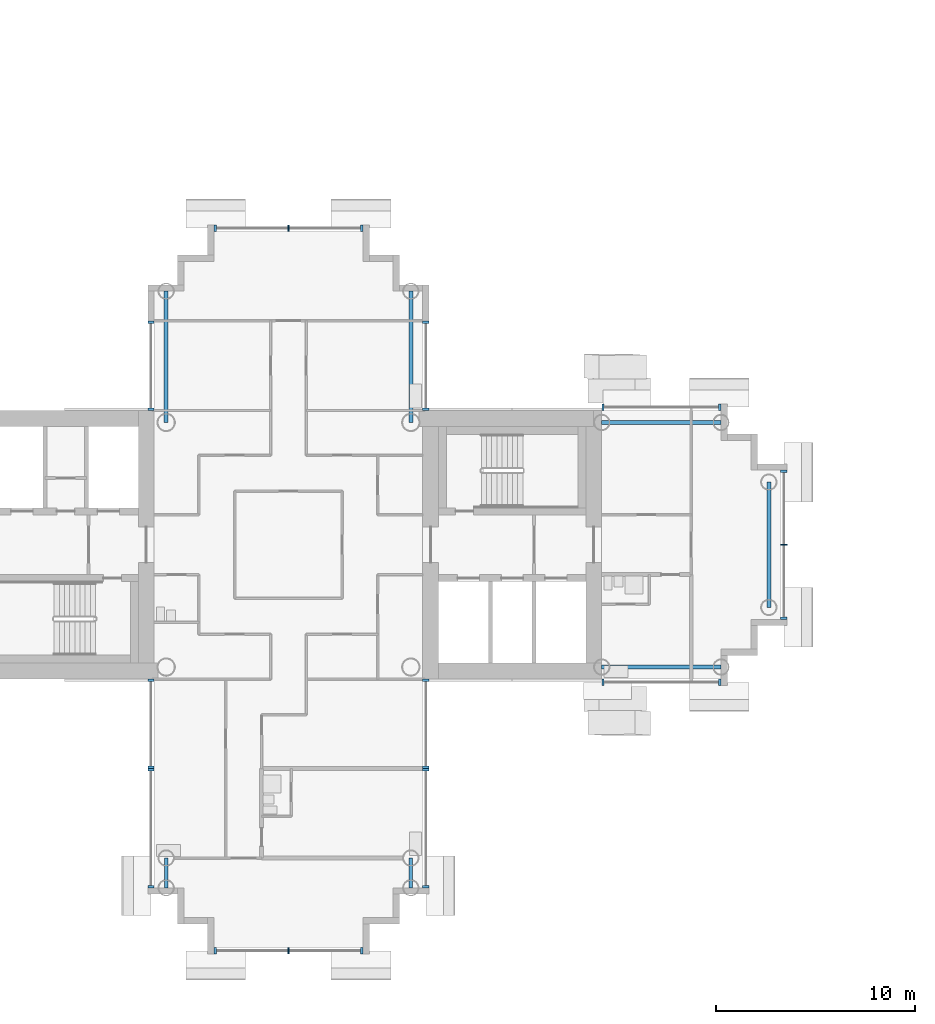
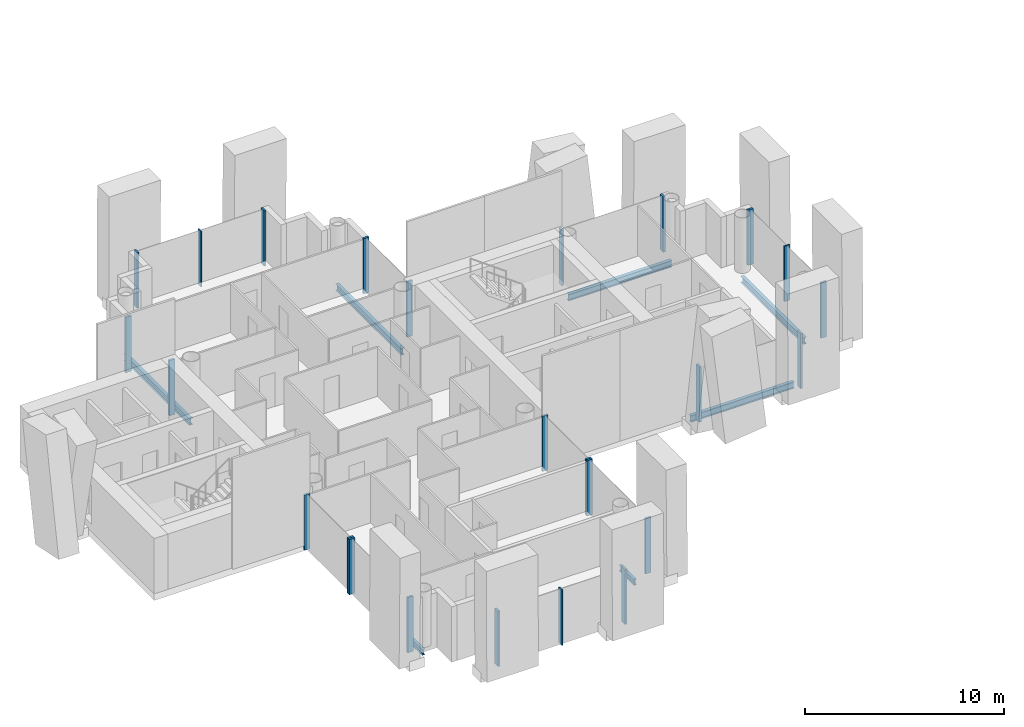
# One storey, part 3 of 18: 25 members, 7 beams, 11 elements without a shape of their own.
"""IFC4 building model written with IfcOpenShell, lengths in metres."""

from ifc_helpers import new_model, si_unit, direction, frame, origin, origin_2d, place, context, subcontext, project, spatial, rectangle, i_section, extrude, material, layer, layer_set, material_profile, profile_set, type_object, element, aggregate, save


model = new_model("IFC4")

# Units and contexts
model_context = context("Model", 3, precision=1e-05, world=origin(), true_north=direction((0.0, 1.0)))
body_context = subcontext(model_context, "Body", "Model", "MODEL_VIEW")
ifc_project = project(units=[si_unit("LENGTHUNIT", "METRE"), si_unit("AREAUNIT", "SQUARE_METRE"), si_unit("VOLUMEUNIT", "CUBIC_METRE"), si_unit("PLANEANGLEUNIT", "RADIAN"), si_unit("MASSUNIT", "GRAM", prefix="KILO")], contexts=[model_context])

# Site, building, storey
site_placement = place(None, origin())
site = spatial("IfcSite", under=ifc_project, at=site_placement, CompositionType="ELEMENT")
building_placement = place(site_placement, origin())
building = spatial("IfcBuilding", under=site, at=building_placement, Name="Ipe Terrace Towers", CompositionType="ELEMENT")
storey_placement = place(building_placement, frame((0.0, 0.0, 150.699951171875)))
storey = spatial("IfcBuildingStorey", under=building, at=storey_placement, Name="L41", CompositionType="ELEMENT", Elevation=150.699951171875)

# Beams
ifc_material_1 = material(Name="Steel S355", Category="steel")
ifc_material_profile_1 = material_profile(ifc_material_1, i_section(OverallWidth=0.175048828125, OverallDepth=0.35009765625, WebThickness=0.007080078125, FlangeThickness=0.010986328125, at=origin_2d()), Name="H-350x175x7x11")
ifc_profile_set_1 = profile_set([ifc_material_profile_1], Name="Steel S355")
beam_type_1 = type_object("IfcBeamType", Name="H04 EDGE BEAM H-350x175x7x11", PredefinedType="BEAM", material=ifc_profile_set_1)
for number, where, z_axis, x_axis, name in (
    (1, (-42.14990234375, -15.75, -0.574951171875), (0.0, -1.0, 0.0), (1.0, 0.0, 0.0), "Edge beam T1-EB-D03-D05"),
    (2, (-29.85009765625, -15.75, -0.574951171875), (0.0, -1.0, 0.0), (1.0, 0.0, 0.0), "Edge beam T1-EB-D04-D06"),
):
    element("IfcBeam", number, at=place(storey_placement, frame(where, z_axis=z_axis, x_axis=x_axis)), inside=storey, type_object=beam_type_1, Name=name, PredefinedType="BEAM", context=body_context, shape_type="SweptSolid", body=[
        extrude(i_section(OverallWidth=0.175048828125, OverallDepth=0.35009765625, WebThickness=0.007080078125, FlangeThickness=0.010986328125, at=origin_2d()), origin(), (0.0, 0.0, 1.0), 1.5),
    ])
ifc_material_2 = material(Name="Steel S355", Category="steel")
ifc_material_profile_2 = material_profile(ifc_material_2, i_section(OverallWidth=0.199951171875, OverallDepth=0.39990234375, WebThickness=0.008056640625, FlangeThickness=0.012939453125, at=origin_2d()), Name="H-400x200x8x13")
ifc_profile_set_2 = profile_set([ifc_material_profile_2], Name="Steel S355")
beam_type_2 = type_object("IfcBeamType", Name="H06 EDGE BEAM H-400x200x8x13", PredefinedType="BEAM", material=ifc_profile_set_2)
for number, where, z_axis, x_axis, name in (
    (3, (-20.25, -6.14990234375, -0.599853515625), (1.0, 0.0, 0.0), (0.0, 1.0, 0.0), "Edge beam T1-EB-A01-A03"),
    (4, (-20.25, 6.14990234375, -0.599853515625), (1.0, 0.0, 0.0), (0.0, 1.0, 0.0), "Edge beam T1-EB-A02-A04"),
):
    element("IfcBeam", number, at=place(storey_placement, frame(where, z_axis=z_axis, x_axis=x_axis)), inside=storey, type_object=beam_type_2, Name=name, PredefinedType="BEAM", context=body_context, shape_type="SweptSolid", body=[
        extrude(i_section(OverallWidth=0.199951171875, OverallDepth=0.39990234375, WebThickness=0.008056640625, FlangeThickness=0.012939453125, at=origin_2d()), origin(), (0.0, 0.0, 1.0), 6.0),
    ])
beam_placement = place(storey_placement, frame((-11.85009765625, -3.14990234375, -0.599853515625), z_axis=(0.0, 1.0, 0.0), x_axis=(-1.0, 0.0, 0.0)))
element("IfcBeam", 5, at=beam_placement, inside=storey, type_object=beam_type_2, Name="Edge beam T1-EB-A05-A06", PredefinedType="BEAM", context=body_context, shape_type="SweptSolid", body=[
    extrude(i_section(OverallWidth=0.199951171875, OverallDepth=0.39990234375, WebThickness=0.008056640625, FlangeThickness=0.012939453125, at=origin_2d()), origin(), (0.0, 0.0, 1.0), 6.2998046875),
])
for number, where, z_axis, x_axis, name in (
    (6, (-29.85009765625, 12.75, -0.599853515625), (0.0, -1.0, 0.0), (1.0, 0.0, 0.0), "Edge beam T1-EB-B01-E03"),
    (7, (-42.14990234375, 12.75, -0.599853515625), (0.0, -1.0, 0.0), (1.0, 0.0, 0.0), "Edge beam T1-EB-B02-E04"),
):
    element("IfcBeam", number, at=place(storey_placement, frame(where, z_axis=z_axis, x_axis=x_axis)), inside=storey, type_object=beam_type_2, Name=name, PredefinedType="BEAM", context=body_context, shape_type="SweptSolid", body=[
        extrude(i_section(OverallWidth=0.199951171875, OverallDepth=0.39990234375, WebThickness=0.008056640625, FlangeThickness=0.012939453125, at=origin_2d()), origin(), (0.0, 0.0, 1.0), 6.60009765625),
    ])

# Curtain wall, members
ifc_material_3 = material(Name="Aluminium alloy 6063-T6", Category="aluminium")
ifc_layer = layer(ifc_material_3, 0.320068359375)
ifc_layer_set = layer_set([ifc_layer], Name="TOWER UNITISED CURTAIN WALL")
curtain_wall_type = type_object("IfcCurtainWallType", Name="TOWER UNITISED CURTAIN WALL", PredefinedType="NOTDEFINED", material=ifc_layer_set)
curtain_wall_1_placement = place(storey_placement, origin())
curtain_wall_1 = element("IfcCurtainWall", 8, at=curtain_wall_1_placement, inside=storey, type_object=curtain_wall_type, Name="T1-CW-L41-02a curtain wall", PredefinedType="NOTDEFINED")
ifc_material_4 = material(Name="Aluminium alloy 6063-T6", Category="aluminium")
ifc_material_profile_3 = material_profile(ifc_material_4, rectangle(XDim=0.320068359375, YDim=0.1201171875, at=origin_2d()), Name="TOWER UNITISED CORNER MULLION 320 x 120")
ifc_profile_set_3 = profile_set([ifc_material_profile_3], Name="Aluminium alloy 6063-T6")
member_type_1 = type_object("IfcMemberType", Name="TOWER UNITISED CORNER MULLION 320 x 120", PredefinedType="MULLION", material=ifc_profile_set_3)
member_1_placement = place(storey_placement, frame((-42.909912109375, -6.81005859375, -0.300048828125), z_axis=(0.0, 0.0, 1.0), x_axis=(-1.0, 0.0, 0.0)))
member_1 = element("IfcMember", 9, at=member_1_placement, type_object=member_type_1, Name="T1-CW-L41-02a mullion 1", PredefinedType="MULLION", context=body_context, shape_type="SweptSolid", body=[
    extrude(rectangle(XDim=0.320068359375, YDim=0.1201171875, at=origin_2d()), origin(), (0.0, 0.0, 1.0), 3.400146484375),
])
member_2_placement = place(storey_placement, frame((-42.909912109375, -11.18994140625, -0.300048828125), z_axis=(0.0, 0.0, 1.0), x_axis=(-1.0, 0.0, 0.0)))
member_2 = element("IfcMember", 10, at=member_2_placement, type_object=member_type_1, Name="T1-CW-L41-02a mullion 2", PredefinedType="MULLION", context=body_context, shape_type="SweptSolid", body=[
    extrude(rectangle(XDim=0.320068359375, YDim=0.1201171875, at=origin_2d()), origin(), (0.0, 0.0, 1.0), 3.400146484375),
])
aggregate(curtain_wall_1, [member_1, member_2])

curtain_wall_2_placement = place(storey_placement, origin())
curtain_wall_2 = element("IfcCurtainWall", 11, at=curtain_wall_2_placement, inside=storey, type_object=curtain_wall_type, Name="T1-CW-L41-03a curtain wall", PredefinedType="NOTDEFINED")
member_3_placement = place(storey_placement, frame((-42.909912109375, -11.31005859375, -0.300048828125), z_axis=(0.0, 0.0, 1.0), x_axis=(-1.0, 0.0, 0.0)))
member_3 = element("IfcMember", 12, at=member_3_placement, type_object=member_type_1, Name="T1-CW-L41-03a mullion 1", PredefinedType="MULLION", context=body_context, shape_type="SweptSolid", body=[
    extrude(rectangle(XDim=0.320068359375, YDim=0.1201171875, at=origin_2d()), origin(), (0.0, 0.0, 1.0), 3.400146484375),
])
member_4_placement = place(storey_placement, frame((-42.909912109375, -17.18994140625, -0.300048828125), z_axis=(0.0, 0.0, 1.0), x_axis=(-1.0, 0.0, 0.0)))
member_4 = element("IfcMember", 13, at=member_4_placement, type_object=member_type_1, Name="T1-CW-L41-03a mullion 2", PredefinedType="MULLION", context=body_context, shape_type="SweptSolid", body=[
    extrude(rectangle(XDim=0.320068359375, YDim=0.1201171875, at=origin_2d()), origin(), (0.0, 0.0, 1.0), 3.400146484375),
])
aggregate(curtain_wall_2, [member_3, member_4])

curtain_wall_3_placement = place(storey_placement, origin())
curtain_wall_3 = element("IfcCurtainWall", 14, at=curtain_wall_3_placement, inside=storey, type_object=curtain_wall_type, Name="T1-CW-L41-08a curtain wall", PredefinedType="NOTDEFINED")
member_5_placement = place(storey_placement, frame((-39.68994140625, -20.409912109375, -0.300048828125), z_axis=(0.0, 0.0, 1.0), x_axis=(0.0, -1.0, 0.0)))
member_5 = element("IfcMember", 15, at=member_5_placement, type_object=member_type_1, Name="T1-CW-L41-08a mullion 1", PredefinedType="MULLION", context=body_context, shape_type="SweptSolid", body=[
    extrude(rectangle(XDim=0.320068359375, YDim=0.1201171875, at=origin_2d()), origin(), (0.0, 0.0, 1.0), 3.400146484375),
])
member_6_placement = place(storey_placement, frame((-32.31005859375, -20.409912109375, -0.300048828125), z_axis=(0.0, 0.0, 1.0), x_axis=(0.0, -1.0, 0.0)))
member_6 = element("IfcMember", 16, at=member_6_placement, type_object=member_type_1, Name="T1-CW-L41-08a mullion 3", PredefinedType="MULLION", context=body_context, shape_type="SweptSolid", body=[
    extrude(rectangle(XDim=0.320068359375, YDim=0.1201171875, at=origin_2d()), origin(), (0.0, 0.0, 1.0), 3.400146484375),
])

curtain_wall_4_placement = place(storey_placement, origin())
curtain_wall_4 = element("IfcCurtainWall", 17, at=curtain_wall_4_placement, inside=storey, type_object=curtain_wall_type, Name="T1-CW-L41-13a curtain wall", PredefinedType="NOTDEFINED")
member_7_placement = place(storey_placement, frame((-29.090087890625, -17.18994140625, -0.300048828125), z_axis=(0.0, 0.0, 1.0), x_axis=(1.0, 0.0, 0.0)))
member_7 = element("IfcMember", 18, at=member_7_placement, type_object=member_type_1, Name="T1-CW-L41-13a mullion 1", PredefinedType="MULLION", context=body_context, shape_type="SweptSolid", body=[
    extrude(rectangle(XDim=0.320068359375, YDim=0.1201171875, at=origin_2d()), origin(), (0.0, 0.0, 1.0), 3.400146484375),
])
member_8_placement = place(storey_placement, frame((-29.090087890625, -11.31005859375, -0.300048828125), z_axis=(0.0, 0.0, 1.0), x_axis=(1.0, 0.0, 0.0)))
member_8 = element("IfcMember", 19, at=member_8_placement, type_object=member_type_1, Name="T1-CW-L41-13a mullion 2", PredefinedType="MULLION", context=body_context, shape_type="SweptSolid", body=[
    extrude(rectangle(XDim=0.320068359375, YDim=0.1201171875, at=origin_2d()), origin(), (0.0, 0.0, 1.0), 3.400146484375),
])
aggregate(curtain_wall_4, [member_7, member_8])

curtain_wall_5_placement = place(storey_placement, origin())
curtain_wall_5 = element("IfcCurtainWall", 20, at=curtain_wall_5_placement, inside=storey, type_object=curtain_wall_type, Name="T1-CW-L41-14a curtain wall", PredefinedType="NOTDEFINED")
member_9_placement = place(storey_placement, frame((-29.090087890625, -11.18994140625, -0.300048828125), z_axis=(0.0, 0.0, 1.0), x_axis=(1.0, 0.0, 0.0)))
member_9 = element("IfcMember", 21, at=member_9_placement, type_object=member_type_1, Name="T1-CW-L41-14a mullion 1", PredefinedType="MULLION", context=body_context, shape_type="SweptSolid", body=[
    extrude(rectangle(XDim=0.320068359375, YDim=0.1201171875, at=origin_2d()), origin(), (0.0, 0.0, 1.0), 3.400146484375),
])
member_10_placement = place(storey_placement, frame((-29.090087890625, -6.81005859375, -0.300048828125), z_axis=(0.0, 0.0, 1.0), x_axis=(1.0, 0.0, 0.0)))
member_10 = element("IfcMember", 22, at=member_10_placement, type_object=member_type_1, Name="T1-CW-L41-14a mullion 2", PredefinedType="MULLION", context=body_context, shape_type="SweptSolid", body=[
    extrude(rectangle(XDim=0.320068359375, YDim=0.1201171875, at=origin_2d()), origin(), (0.0, 0.0, 1.0), 3.400146484375),
])
aggregate(curtain_wall_5, [member_9, member_10])

curtain_wall_6_placement = place(storey_placement, origin())
curtain_wall_6 = element("IfcCurtainWall", 23, at=curtain_wall_6_placement, inside=storey, type_object=curtain_wall_type, Name="T1-CW-L41-16b curtain wall", PredefinedType="NOTDEFINED")
member_11_placement = place(storey_placement, frame((-20.18896484375, -6.909912109375, -0.300048828125), z_axis=(0.0, 0.0, 1.0), x_axis=(0.0, -1.0, 0.0)))
member_11 = element("IfcMember", 24, at=member_11_placement, type_object=member_type_1, Name="T1-CW-L41-16b mullion 1", PredefinedType="MULLION", context=body_context, shape_type="SweptSolid", body=[
    extrude(rectangle(XDim=0.320068359375, YDim=0.1201171875, at=origin_2d()), origin(), (0.0, 0.0, 1.0), 3.400146484375),
])
member_12_placement = place(storey_placement, frame((-14.31005859375, -6.909912109375, -0.300048828125), z_axis=(0.0, 0.0, 1.0), x_axis=(0.0, -1.0, 0.0)))
member_12 = element("IfcMember", 25, at=member_12_placement, type_object=member_type_1, Name="T1-CW-L41-16b mullion 2", PredefinedType="MULLION", context=body_context, shape_type="SweptSolid", body=[
    extrude(rectangle(XDim=0.320068359375, YDim=0.1201171875, at=origin_2d()), origin(), (0.0, 0.0, 1.0), 3.400146484375),
])
aggregate(curtain_wall_6, [member_11, member_12])

curtain_wall_7_placement = place(storey_placement, origin())
curtain_wall_7 = element("IfcCurtainWall", 26, at=curtain_wall_7_placement, inside=storey, type_object=curtain_wall_type, Name="T1-CW-L41-21a curtain wall", PredefinedType="NOTDEFINED")
member_13_placement = place(storey_placement, frame((-11.090087890625, -3.68994140625, -0.300048828125), z_axis=(0.0, 0.0, 1.0), x_axis=(1.0, 0.0, 0.0)))
member_13 = element("IfcMember", 27, at=member_13_placement, type_object=member_type_1, Name="T1-CW-L41-21a mullion 1", PredefinedType="MULLION", context=body_context, shape_type="SweptSolid", body=[
    extrude(rectangle(XDim=0.320068359375, YDim=0.1201171875, at=origin_2d()), origin(), (0.0, 0.0, 1.0), 3.400146484375),
])
member_14_placement = place(storey_placement, frame((-11.090087890625, 3.68994140625, -0.300048828125), z_axis=(0.0, 0.0, 1.0), x_axis=(1.0, 0.0, 0.0)))
member_14 = element("IfcMember", 28, at=member_14_placement, type_object=member_type_1, Name="T1-CW-L41-21a mullion 3", PredefinedType="MULLION", context=body_context, shape_type="SweptSolid", body=[
    extrude(rectangle(XDim=0.320068359375, YDim=0.1201171875, at=origin_2d()), origin(), (0.0, 0.0, 1.0), 3.400146484375),
])

curtain_wall_8_placement = place(storey_placement, origin())
curtain_wall_8 = element("IfcCurtainWall", 29, at=curtain_wall_8_placement, inside=storey, type_object=curtain_wall_type, Name="T1-CW-L41-26a curtain wall", PredefinedType="NOTDEFINED")
member_15_placement = place(storey_placement, frame((-14.31005859375, 6.909912109375, -0.300048828125), z_axis=(0.0, 0.0, 1.0), x_axis=(0.0, 1.0, 0.0)))
member_15 = element("IfcMember", 30, at=member_15_placement, type_object=member_type_1, Name="T1-CW-L41-26a mullion 1", PredefinedType="MULLION", context=body_context, shape_type="SweptSolid", body=[
    extrude(rectangle(XDim=0.320068359375, YDim=0.1201171875, at=origin_2d()), origin(), (0.0, 0.0, 1.0), 3.400146484375),
])
member_16_placement = place(storey_placement, frame((-20.18896484375, 6.909912109375, -0.300048828125), z_axis=(0.0, 0.0, 1.0), x_axis=(0.0, 1.0, 0.0)))
member_16 = element("IfcMember", 31, at=member_16_placement, type_object=member_type_1, Name="T1-CW-L41-26a mullion 2", PredefinedType="MULLION", context=body_context, shape_type="SweptSolid", body=[
    extrude(rectangle(XDim=0.320068359375, YDim=0.1201171875, at=origin_2d()), origin(), (0.0, 0.0, 1.0), 3.400146484375),
])
aggregate(curtain_wall_8, [member_15, member_16])

curtain_wall_9_placement = place(storey_placement, origin())
curtain_wall_9 = element("IfcCurtainWall", 32, at=curtain_wall_9_placement, inside=storey, type_object=curtain_wall_type, Name="T1-CW-L41-28a curtain wall", PredefinedType="NOTDEFINED")
member_17_placement = place(storey_placement, frame((-29.090087890625, 6.81005859375, -0.300048828125), z_axis=(0.0, 0.0, 1.0), x_axis=(1.0, 0.0, 0.0)))
member_17 = element("IfcMember", 33, at=member_17_placement, type_object=member_type_1, Name="T1-CW-L41-28a mullion 1", PredefinedType="MULLION", context=body_context, shape_type="SweptSolid", body=[
    extrude(rectangle(XDim=0.320068359375, YDim=0.1201171875, at=origin_2d()), origin(), (0.0, 0.0, 1.0), 3.400146484375),
])
member_18_placement = place(storey_placement, frame((-29.090087890625, 11.18994140625, -0.300048828125), z_axis=(0.0, 0.0, 1.0), x_axis=(1.0, 0.0, 0.0)))
member_18 = element("IfcMember", 34, at=member_18_placement, type_object=member_type_1, Name="T1-CW-L41-28a mullion 2", PredefinedType="MULLION", context=body_context, shape_type="SweptSolid", body=[
    extrude(rectangle(XDim=0.320068359375, YDim=0.1201171875, at=origin_2d()), origin(), (0.0, 0.0, 1.0), 3.400146484375),
])
aggregate(curtain_wall_9, [member_17, member_18])

curtain_wall_10_placement = place(storey_placement, origin())
curtain_wall_10 = element("IfcCurtainWall", 35, at=curtain_wall_10_placement, inside=storey, type_object=curtain_wall_type, Name="T1-CW-L41-34a curtain wall", PredefinedType="NOTDEFINED")
member_19_placement = place(storey_placement, frame((-32.31005859375, 15.909912109375, -0.300048828125), z_axis=(0.0, 0.0, 1.0), x_axis=(0.0, 1.0, 0.0)))
member_19 = element("IfcMember", 36, at=member_19_placement, type_object=member_type_1, Name="T1-CW-L41-34a mullion 1", PredefinedType="MULLION", context=body_context, shape_type="SweptSolid", body=[
    extrude(rectangle(XDim=0.320068359375, YDim=0.1201171875, at=origin_2d()), origin(), (0.0, 0.0, 1.0), 3.400146484375),
])
member_20_placement = place(storey_placement, frame((-39.68994140625, 15.909912109375, -0.300048828125), z_axis=(0.0, 0.0, 1.0), x_axis=(0.0, 1.0, 0.0)))
member_20 = element("IfcMember", 37, at=member_20_placement, type_object=member_type_1, Name="T1-CW-L41-34a mullion 3", PredefinedType="MULLION", context=body_context, shape_type="SweptSolid", body=[
    extrude(rectangle(XDim=0.320068359375, YDim=0.1201171875, at=origin_2d()), origin(), (0.0, 0.0, 1.0), 3.400146484375),
])

curtain_wall_11_placement = place(storey_placement, origin())
curtain_wall_11 = element("IfcCurtainWall", 38, at=curtain_wall_11_placement, inside=storey, type_object=curtain_wall_type, Name="T1-CW-L41-40a curtain wall", PredefinedType="NOTDEFINED")
member_21_placement = place(storey_placement, frame((-42.909912109375, 11.18994140625, -0.300048828125), z_axis=(0.0, 0.0, 1.0), x_axis=(-1.0, 0.0, 0.0)))
member_21 = element("IfcMember", 39, at=member_21_placement, type_object=member_type_1, Name="T1-CW-L41-40a mullion 1", PredefinedType="MULLION", context=body_context, shape_type="SweptSolid", body=[
    extrude(rectangle(XDim=0.320068359375, YDim=0.1201171875, at=origin_2d()), origin(), (0.0, 0.0, 1.0), 3.400146484375),
])
member_22_placement = place(storey_placement, frame((-42.909912109375, 6.81005859375, -0.300048828125), z_axis=(0.0, 0.0, 1.0), x_axis=(-1.0, 0.0, 0.0)))
member_22 = element("IfcMember", 40, at=member_22_placement, type_object=member_type_1, Name="T1-CW-L41-40a mullion 2", PredefinedType="MULLION", context=body_context, shape_type="SweptSolid", body=[
    extrude(rectangle(XDim=0.320068359375, YDim=0.1201171875, at=origin_2d()), origin(), (0.0, 0.0, 1.0), 3.400146484375),
])
aggregate(curtain_wall_11, [member_21, member_22])

# Member
ifc_material_5 = material(Name="Aluminium alloy 6063-T6", Category="aluminium")
ifc_material_profile_4 = material_profile(ifc_material_5, rectangle(XDim=0.320068359375, YDim=0.06494140625, at=origin_2d()), Name="TOWER UNITISED MULLION 320 x 65")
ifc_profile_set_4 = profile_set([ifc_material_profile_4], Name="Aluminium alloy 6063-T6")
member_type_2 = type_object("IfcMemberType", Name="TOWER UNITISED MULLION 320 x 65", PredefinedType="MULLION", material=ifc_profile_set_4)
member_23_placement = place(storey_placement, frame((-36.0, -20.409912109375, -0.300048828125), z_axis=(0.0, 0.0, 1.0), x_axis=(0.0, -1.0, 0.0)))
member_23 = element("IfcMember", 41, at=member_23_placement, type_object=member_type_2, Name="T1-CW-L41-08a mullion 2", PredefinedType="MULLION", context=body_context, shape_type="SweptSolid", body=[
    extrude(rectangle(XDim=0.320068359375, YDim=0.06494140625, at=origin_2d()), origin(), (0.0, 0.0, 1.0), 3.400146484375),
])

aggregate(curtain_wall_3, [member_5, member_23, member_6])

member_24_placement = place(storey_placement, frame((-11.090087890625, 0.0, -0.300048828125), z_axis=(0.0, 0.0, 1.0), x_axis=(1.0, 0.0, 0.0)))
member_24 = element("IfcMember", 42, at=member_24_placement, type_object=member_type_2, Name="T1-CW-L41-21a mullion 2", PredefinedType="MULLION", context=body_context, shape_type="SweptSolid", body=[
    extrude(rectangle(XDim=0.320068359375, YDim=0.06494140625, at=origin_2d()), origin(), (0.0, 0.0, 1.0), 3.400146484375),
])

aggregate(curtain_wall_7, [member_13, member_24, member_14])

member_25_placement = place(storey_placement, frame((-36.0, 15.909912109375, -0.300048828125), z_axis=(0.0, 0.0, 1.0), x_axis=(0.0, 1.0, 0.0)))
member_25 = element("IfcMember", 43, at=member_25_placement, type_object=member_type_2, Name="T1-CW-L41-34a mullion 2", PredefinedType="MULLION", context=body_context, shape_type="SweptSolid", body=[
    extrude(rectangle(XDim=0.320068359375, YDim=0.06494140625, at=origin_2d()), origin(), (0.0, 0.0, 1.0), 3.400146484375),
])

aggregate(curtain_wall_10, [member_19, member_25, member_20])

save(model, "model.ifc")
